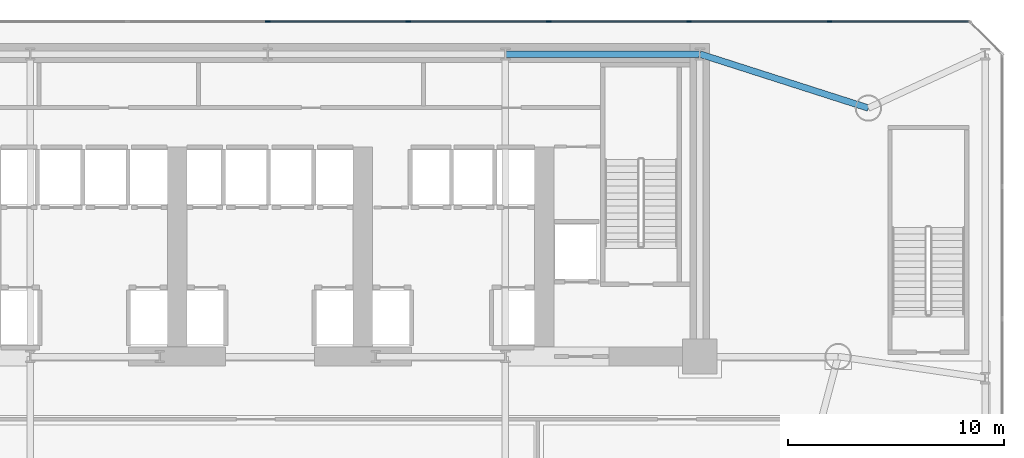
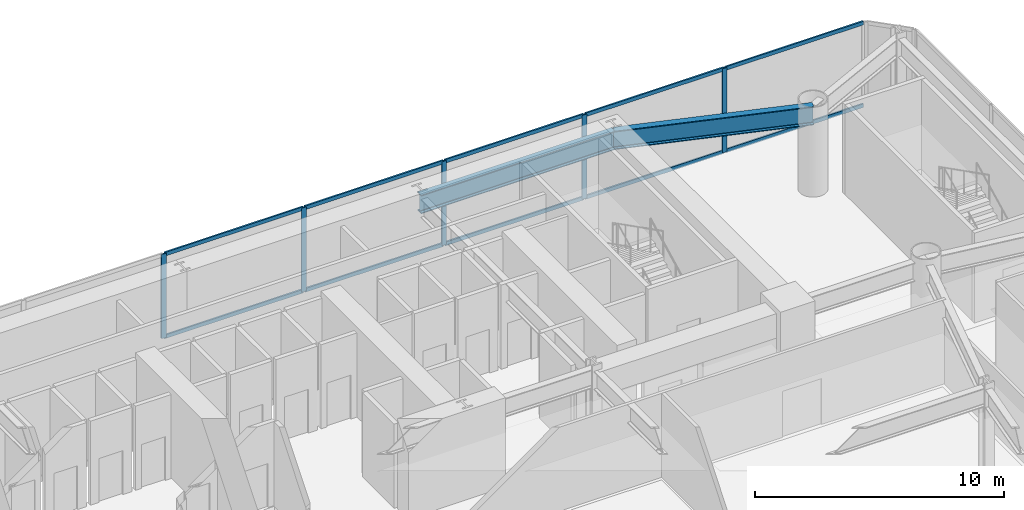
# One storey, part 9 of 24: 15 members, 2 beams, 1 element without a shape of its own.
"""IFC4 building model written with IfcOpenShell, lengths in metres."""

from ifc_helpers import new_model, si_unit, direction, frame, origin, origin_2d, place, context, subcontext, project, spatial, rectangle, i_section, extrude, source, transform, mapped, material, layer, layer_set, material_profile, profile_set, type_object, element, aggregate, save


model = new_model("IFC4")

# Units and contexts
model_context = context("Model", 3, precision=1e-05, world=origin(), true_north=direction((0.0, 1.0)))
body_context = subcontext(model_context, "Body", "Model", "MODEL_VIEW")
ifc_project = project(units=[si_unit("LENGTHUNIT", "METRE"), si_unit("AREAUNIT", "SQUARE_METRE"), si_unit("VOLUMEUNIT", "CUBIC_METRE"), si_unit("PLANEANGLEUNIT", "RADIAN"), si_unit("MASSUNIT", "GRAM", prefix="KILO")], contexts=[model_context])

# Site, building, storey
site_placement = place(None, origin())
site = spatial("IfcSite", under=ifc_project, at=site_placement, CompositionType="ELEMENT")
building_placement = place(site_placement, origin())
building = spatial("IfcBuilding", under=site, at=building_placement, Name="Vaeldorn Concourse Tower", CompositionType="ELEMENT")
storey_placement = place(building_placement, frame((0.0, 0.0, 5.60009765625)))
storey = spatial("IfcBuildingStorey", under=building, at=storey_placement, Name="L01", CompositionType="ELEMENT", Elevation=5.60009765625)

# Beams
ifc_material_1 = material(Name="Steel S355", Category="steel")
ifc_material_profile_1 = material_profile(ifc_material_1, i_section(OverallWidth=0.302001953125, OverallDepth=0.909912109375, WebThickness=0.02099609375, FlangeThickness=0.0400390625, FilletRadius=0.030029296875, at=origin_2d()), Name="HEM 900")
ifc_profile_set_1 = profile_set([ifc_material_profile_1], Name="Steel S355")
beam_type = type_object("IfcBeamType", Name="BM-PG-HEM900", PredefinedType="BEAM", material=ifc_profile_set_1)
shared_shape_1 = source(origin(), body_context, "Body", "SweptSolid", [
    extrude(i_section(OverallWidth=0.302001953125, OverallDepth=0.909912109375, WebThickness=0.02099609375, FlangeThickness=0.0400390625, FilletRadius=0.030029296875, at=origin_2d()), origin(), (0.0, 0.0, 1.0), 9.0),
])
beam_1_placement = place(storey_placement, frame((45.0, 50.5, 3.664794921875), z_axis=(1.0, 0.0, 0.0), x_axis=(0.0, 1.0, 0.0)))
element("IfcBeam", 1, at=beam_1_placement, inside=storey, type_object=beam_type, Name="Beam BM-L01-C-HC4-C-HC5", PredefinedType="BEAM", context=body_context, shape_type="MappedRepresentation", body=[
    mapped(shared_shape_1, transform((0.0, 0.0, 0.0), scale=1.0)),
])
shared_shape_2 = source(origin(), body_context, "Body", "SweptSolid", [
    extrude(i_section(OverallWidth=0.302001953125, OverallDepth=0.909912109375, WebThickness=0.02099609375, FlangeThickness=0.0400390625, FilletRadius=0.030029296875, at=origin_2d()), origin(), (0.0, 0.0, 1.0), 8.19091796875),
])
beam_2_placement = place(storey_placement, frame((54.0, 50.5, 3.664794921875), z_axis=(0.952282843383, -0.305216949396, 0.0), x_axis=(0.305216949396, 0.952282843383, 0.0)))
element("IfcBeam", 2, at=beam_2_placement, inside=storey, type_object=beam_type, Name="Beam BM-L01-C-HC5-C-NE1", PredefinedType="BEAM", context=body_context, shape_type="MappedRepresentation", body=[
    mapped(shared_shape_2, transform((0.0, 0.0, 0.0), scale=1.0)),
])

# Curtain wall, members
ifc_material_2 = material(Name="Anodised Bronze Aluminium", Category="aluminium")
ifc_layer = layer(ifc_material_2, 0.239990234375)
ifc_layer_set = layer_set([ifc_layer], Name="Anodised Bronze Aluminium")
curtain_wall_type = type_object("IfcCurtainWallType", Name="CW-SYS-04", PredefinedType="NOTDEFINED", material=ifc_layer_set)
curtain_wall_placement = place(storey_placement, origin())
curtain_wall = element("IfcCurtainWall", 3, at=curtain_wall_placement, inside=storey, type_object=curtain_wall_type, Name="Unitised Curtain Wall CW-L01-E05-1", PredefinedType="NOTDEFINED")
ifc_material_profile_2 = material_profile(ifc_material_2, rectangle(XDim=0.074951171875, YDim=0.219970703125, at=origin_2d()), Name="CWM 75x220")
ifc_profile_set_2 = profile_set([ifc_material_profile_2], Name="Anodised Bronze Aluminium")
member_type_1 = type_object("IfcMemberType", Name="CWM-BRONZE-220", PredefinedType="MULLION", material=ifc_profile_set_2)
shared_shape_3 = source(origin(), body_context, "Body", "SweptSolid", [
    extrude(rectangle(XDim=0.074951171875, YDim=0.219970703125, at=origin_2d()), origin(), (0.0, 0.0, 1.0), 4.119873046875),
])
member_1_placement = place(storey_placement, frame((60.0, 52.0, 0.0), z_axis=(0.0, 0.0, 1.0), x_axis=(0.0, -1.0, 0.0)))
member_1 = element("IfcMember", 4, at=member_1_placement, type_object=member_type_1, Name="CW-04 mullion 2", PredefinedType="MULLION", context=body_context, shape_type="MappedRepresentation", body=[
    mapped(shared_shape_3, transform((0.0, 0.0, 0.0), scale=1.0)),
])
member_2_placement = place(storey_placement, frame((53.5, 52.0, 0.0), z_axis=(0.0, 0.0, 1.0), x_axis=(0.0, -1.0, 0.0)))
member_2 = element("IfcMember", 5, at=member_2_placement, type_object=member_type_1, Name="CW-04 mullion 3", PredefinedType="MULLION", context=body_context, shape_type="MappedRepresentation", body=[
    mapped(shared_shape_3, transform((0.0, 0.0, 0.0), scale=1.0)),
])
member_3_placement = place(storey_placement, frame((47.0, 52.0, 0.0), z_axis=(0.0, 0.0, 1.0), x_axis=(0.0, -1.0, 0.0)))
member_3 = element("IfcMember", 6, at=member_3_placement, type_object=member_type_1, Name="CW-04 mullion 4", PredefinedType="MULLION", context=body_context, shape_type="MappedRepresentation", body=[
    mapped(shared_shape_3, transform((0.0, 0.0, 0.0), scale=1.0)),
])
member_4_placement = place(storey_placement, frame((40.5, 52.0, 0.0), z_axis=(0.0, 0.0, 1.0), x_axis=(0.0, -1.0, 0.0)))
member_4 = element("IfcMember", 7, at=member_4_placement, type_object=member_type_1, Name="CW-04 mullion 5", PredefinedType="MULLION", context=body_context, shape_type="MappedRepresentation", body=[
    mapped(shared_shape_3, transform((0.0, 0.0, 0.0), scale=1.0)),
])
member_5_placement = place(storey_placement, frame((34.0, 52.0, 0.0), z_axis=(0.0, 0.0, 1.0), x_axis=(0.0, -1.0, 0.0)))
member_5 = element("IfcMember", 8, at=member_5_placement, type_object=member_type_1, Name="CW-04 mullion 6", PredefinedType="MULLION", context=body_context, shape_type="MappedRepresentation", body=[
    mapped(shared_shape_3, transform((0.0, 0.0, 0.0), scale=1.0)),
])
ifc_material_profile_3 = material_profile(ifc_material_2, rectangle(XDim=0.074951171875, YDim=0.179931640625, at=origin_2d()), Name="CWT 75x180")
ifc_profile_set_3 = profile_set([ifc_material_profile_3], Name="Anodised Bronze Aluminium")
member_type_2 = type_object("IfcMemberType", Name="CWT-BRONZE-180", PredefinedType="USERDEFINED", material=ifc_profile_set_3)
shared_shape_4 = source(origin(), body_context, "Body", "SweptSolid", [
    extrude(rectangle(XDim=0.074951171875, YDim=0.179931640625, at=origin_2d()), origin(), (0.0, 0.0, 1.0), 6.387451171875),
])
member_6_placement = place(storey_placement, frame((66.425048828125, 52.0, 0.037353515625), z_axis=(-1.0, 0.0, 0.0), x_axis=(0.0, -1.0, 0.0)))
member_6 = element("IfcMember", 9, at=member_6_placement, type_object=member_type_2, Name="CW-04 transom 1.1", ObjectType="TRANSOM", PredefinedType="USERDEFINED", context=body_context, shape_type="MappedRepresentation", body=[
    mapped(shared_shape_4, transform((0.0, 0.0, 0.0), scale=1.0)),
])
member_7_placement = place(storey_placement, frame((66.425048828125, 52.0, 4.08251953125), z_axis=(-1.0, 0.0, 0.0), x_axis=(0.0, -1.0, 0.0)))
member_7 = element("IfcMember", 10, at=member_7_placement, type_object=member_type_2, Name="CW-04 transom 1.2", ObjectType="TRANSOM", PredefinedType="USERDEFINED", context=body_context, shape_type="MappedRepresentation", body=[
    mapped(shared_shape_4, transform((0.0, 0.0, 0.0), scale=1.0)),
])
shared_shape_5 = source(origin(), body_context, "Body", "SweptSolid", [
    extrude(rectangle(XDim=0.074951171875, YDim=0.179931640625, at=origin_2d()), origin(), (0.0, 0.0, 1.0), 6.4248046875),
])
member_8_placement = place(storey_placement, frame((59.96240234375, 52.0, 0.037353515625), z_axis=(-1.0, 0.0, 0.0), x_axis=(0.0, -1.0, 0.0)))
member_8 = element("IfcMember", 11, at=member_8_placement, type_object=member_type_2, Name="CW-04 transom 2.1", ObjectType="TRANSOM", PredefinedType="USERDEFINED", context=body_context, shape_type="MappedRepresentation", body=[
    mapped(shared_shape_5, transform((0.0, 0.0, 0.0), scale=1.0)),
])
member_9_placement = place(storey_placement, frame((59.96240234375, 52.0, 4.08251953125), z_axis=(-1.0, 0.0, 0.0), x_axis=(0.0, -1.0, 0.0)))
member_9 = element("IfcMember", 12, at=member_9_placement, type_object=member_type_2, Name="CW-04 transom 2.2", ObjectType="TRANSOM", PredefinedType="USERDEFINED", context=body_context, shape_type="MappedRepresentation", body=[
    mapped(shared_shape_5, transform((0.0, 0.0, 0.0), scale=1.0)),
])
member_10_placement = place(storey_placement, frame((53.46240234375, 52.0, 0.037353515625), z_axis=(-1.0, 0.0, 0.0), x_axis=(0.0, -1.0, 0.0)))
member_10 = element("IfcMember", 13, at=member_10_placement, type_object=member_type_2, Name="CW-04 transom 3.1", ObjectType="TRANSOM", PredefinedType="USERDEFINED", context=body_context, shape_type="MappedRepresentation", body=[
    mapped(shared_shape_5, transform((0.0, 0.0, 0.0), scale=1.0)),
])
member_11_placement = place(storey_placement, frame((53.46240234375, 52.0, 4.08251953125), z_axis=(-1.0, 0.0, 0.0), x_axis=(0.0, -1.0, 0.0)))
member_11 = element("IfcMember", 14, at=member_11_placement, type_object=member_type_2, Name="CW-04 transom 3.2", ObjectType="TRANSOM", PredefinedType="USERDEFINED", context=body_context, shape_type="MappedRepresentation", body=[
    mapped(shared_shape_5, transform((0.0, 0.0, 0.0), scale=1.0)),
])
member_12_placement = place(storey_placement, frame((46.96240234375, 52.0, 0.037353515625), z_axis=(-1.0, 0.0, 0.0), x_axis=(0.0, -1.0, 0.0)))
member_12 = element("IfcMember", 15, at=member_12_placement, type_object=member_type_2, Name="CW-04 transom 4.1", ObjectType="TRANSOM", PredefinedType="USERDEFINED", context=body_context, shape_type="MappedRepresentation", body=[
    mapped(shared_shape_5, transform((0.0, 0.0, 0.0), scale=1.0)),
])
member_13_placement = place(storey_placement, frame((46.96240234375, 52.0, 4.08251953125), z_axis=(-1.0, 0.0, 0.0), x_axis=(0.0, -1.0, 0.0)))
member_13 = element("IfcMember", 16, at=member_13_placement, type_object=member_type_2, Name="CW-04 transom 4.2", ObjectType="TRANSOM", PredefinedType="USERDEFINED", context=body_context, shape_type="MappedRepresentation", body=[
    mapped(shared_shape_5, transform((0.0, 0.0, 0.0), scale=1.0)),
])
member_14_placement = place(storey_placement, frame((40.46240234375, 52.0, 0.037353515625), z_axis=(-1.0, 0.0, 0.0), x_axis=(0.0, -1.0, 0.0)))
member_14 = element("IfcMember", 17, at=member_14_placement, type_object=member_type_2, Name="CW-04 transom 5.1", ObjectType="TRANSOM", PredefinedType="USERDEFINED", context=body_context, shape_type="MappedRepresentation", body=[
    mapped(shared_shape_5, transform((0.0, 0.0, 0.0), scale=1.0)),
])
member_15_placement = place(storey_placement, frame((40.46240234375, 52.0, 4.08251953125), z_axis=(-1.0, 0.0, 0.0), x_axis=(0.0, -1.0, 0.0)))
member_15 = element("IfcMember", 18, at=member_15_placement, type_object=member_type_2, Name="CW-04 transom 5.2", ObjectType="TRANSOM", PredefinedType="USERDEFINED", context=body_context, shape_type="MappedRepresentation", body=[
    mapped(shared_shape_5, transform((0.0, 0.0, 0.0), scale=1.0)),
])
aggregate(curtain_wall, [member_1, member_2, member_3, member_4, member_5, member_6, member_7, member_8, member_9, member_10, member_11, member_12, member_13, member_14, member_15])

save(model, "model.ifc")
